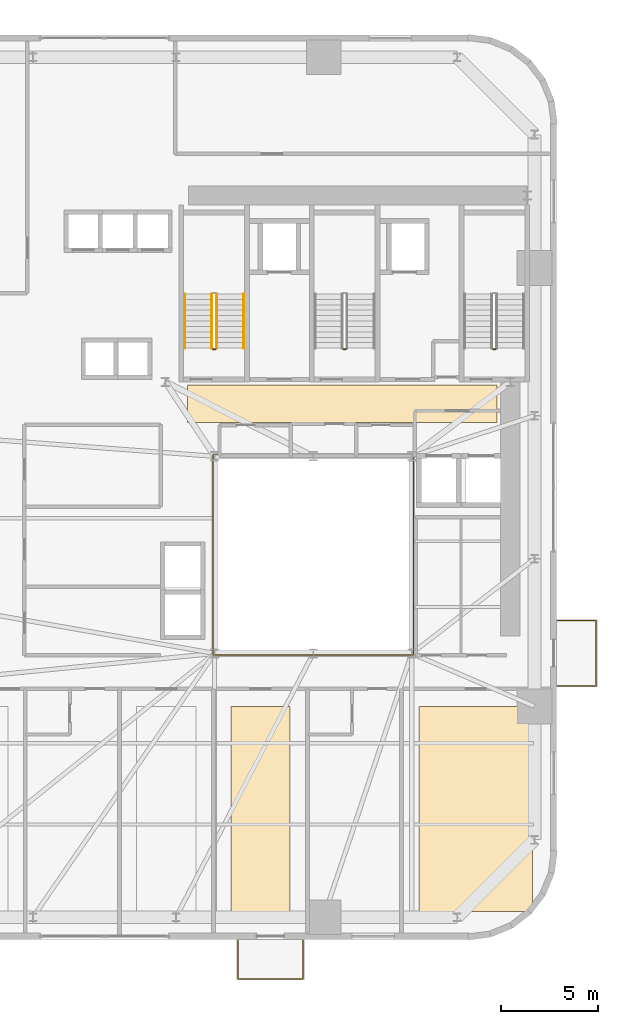
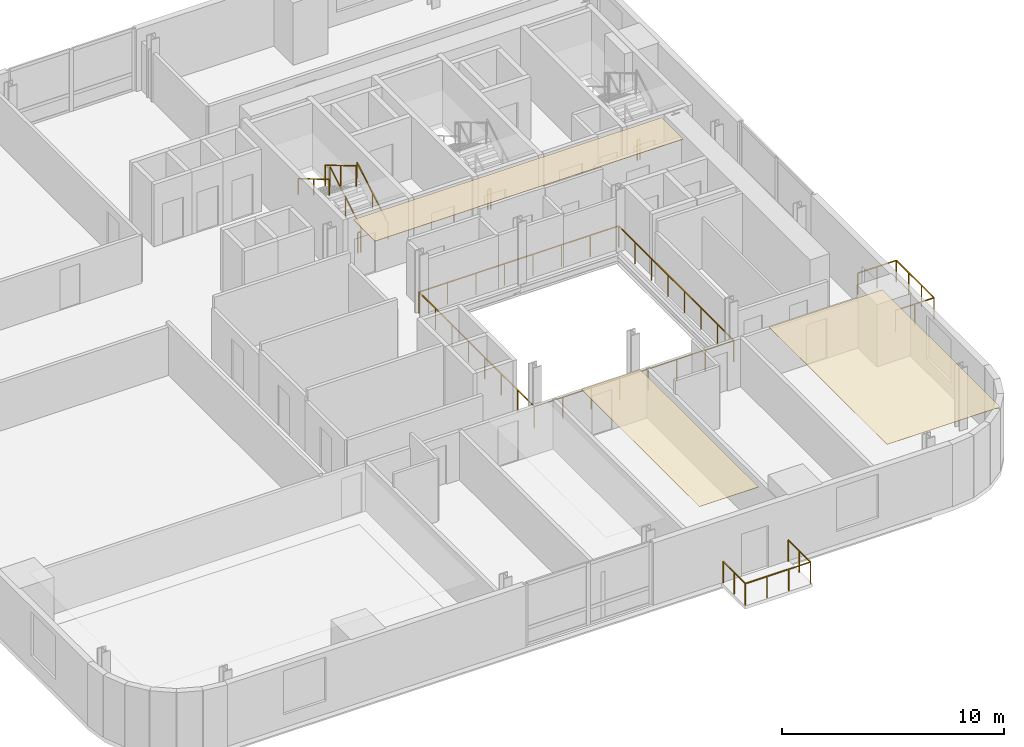
# One storey, part 11 of 13: 10 railings, 3 coverings.
"""IFC4 building model written with IfcOpenShell, lengths in metres."""

from ifc_helpers import new_model, si_unit, direction, frame, origin, origin_2d, place, context, subcontext, project, spatial, polyline, rectangle, outline, extrude, source, transform, mapped, material, layer, layer_set, type_object, element, save


model = new_model("IFC4")

# Units and contexts
model_context = context("Model", 3, precision=1e-05, world=origin(), true_north=direction((0.0, 1.0)))
body_context = subcontext(model_context, "Body", "Model", "MODEL_VIEW")
ifc_project = project(units=[si_unit("LENGTHUNIT", "METRE"), si_unit("AREAUNIT", "SQUARE_METRE"), si_unit("VOLUMEUNIT", "CUBIC_METRE"), si_unit("PLANEANGLEUNIT", "RADIAN"), si_unit("MASSUNIT", "GRAM", prefix="KILO")], contexts=[model_context])

# Site, building, storey
site_placement = place(None, origin())
site = spatial("IfcSite", under=ifc_project, at=site_placement, CompositionType="ELEMENT")
building_placement = place(site_placement, origin())
building = spatial("IfcBuilding", under=site, at=building_placement, Name="Vardaveli Station Tower", CompositionType="ELEMENT")
storey_placement = place(building_placement, frame((0.0, 0.0, 45.85009765625)))
storey = spatial("IfcBuildingStorey", under=building, at=storey_placement, Name="L11", CompositionType="ELEMENT", Elevation=45.85009765625)

# Coverings
ifc_material_1 = material(Name="Perforated acoustic mineral ceiling")
ifc_layer = layer(ifc_material_1, 0.02001953125, Name="Perforated acoustic mineral ceiling")
ifc_layer_set = layer_set([ifc_layer], Name="Perforated acoustic mineral ceiling")
covering_type = type_object("IfcCoveringType", Name="COV-CEIL-AC20", PredefinedType="CEILING", material=ifc_layer_set)
covering_1_placement = place(storey_placement, frame((0.0, 0.0, 3.39501953125)))
element("IfcCovering", 1, at=covering_1_placement, inside=storey, type_object=covering_type, Name="CEIL-L11-3", PredefinedType="CEILING", context=body_context, shape_type="SweptSolid", body=[
    extrude(outline(polyline([(32.033203125, 3.25), (35.10009765625, 3.25), (35.10009765625, 13.860107421875), (32.033203125, 13.860107421875), (32.033203125, 3.25)])), origin(), (0.0, 0.0, 1.0), 0.019775390625),
])
covering_2_placement = place(storey_placement, frame((0.0, 0.0, 3.39501953125)))
element("IfcCovering", 2, at=covering_2_placement, inside=storey, type_object=covering_type, Name="CEIL-L11-4", PredefinedType="CEILING", context=body_context, shape_type="SweptSolid", body=[
    extrude(outline(polyline([(41.7666015625, 3.25), (47.64990234375, 3.25), (47.64990234375, 13.860107421875), (41.7666015625, 13.860107421875), (41.7666015625, 3.25)])), origin(), (0.0, 0.0, 1.0), 0.019775390625),
])
covering_3_placement = place(storey_placement, frame((0.0, 0.0, 3.39501953125)))
element("IfcCovering", 3, at=covering_3_placement, inside=storey, type_object=covering_type, Name="CEIL-L11-5", PredefinedType="CEILING", context=body_context, shape_type="SweptSolid", body=[
    extrude(outline(polyline([(29.800048828125, 28.550048828125), (45.800048828125, 28.550048828125), (45.800048828125, 30.5), (29.800048828125, 30.5), (29.800048828125, 28.550048828125)])), origin(), (0.0, 0.0, 1.0), 0.019775390625),
])

# Railings
ifc_material_2 = material(Name="Laminated glass and stainless steel balustrade", Category="steel")
railing_type_1 = type_object("IfcRailingType", Name="RL-BAL-1200", PredefinedType="BALUSTRADE", material=ifc_material_2)
shared_shape_1 = source(origin(), body_context, "Body", "SweptSolid", [
    extrude(rectangle(XDim=0.048095703125, YDim=0.048095703125, at=origin_2d()), frame((0.0, 0.0, 1.17578125), z_axis=(0.0, -1.0, 0.0), x_axis=(1.0, 0.0, 0.0)), (0.0, 0.0, 1.0), 2.0),
    extrude(rectangle(XDim=0.048095703125, YDim=0.048095703125, at=origin_2d()), frame((0.0, -2.0, 1.17578125), z_axis=(1.0, 0.0, 0.0), x_axis=(0.0, 1.0, 0.0)), (0.0, 0.0, 1.0), 3.3798828125),
    extrude(rectangle(XDim=0.048095703125, YDim=0.048095703125, at=origin_2d()), frame((3.3798828125, -2.0, 1.17578125), z_axis=(0.0, 1.0, 0.0), x_axis=(-1.0, 0.0, 0.0)), (0.0, 0.0, 1.0), 2.0),
    extrude(rectangle(XDim=0.0419921875, YDim=0.0419921875, at=origin_2d()), origin(), (0.0, 0.0, 1.0), 1.15185546875),
    extrude(rectangle(XDim=0.0419921875, YDim=0.0419921875, at=origin_2d()), frame((0.0, -1.0, 0.0)), (0.0, 0.0, 1.0), 1.15185546875),
    extrude(rectangle(XDim=0.0419921875, YDim=0.0419921875, at=origin_2d()), frame((0.0, -2.0, 0.0)), (0.0, 0.0, 1.0), 1.15185546875),
    extrude(rectangle(XDim=0.0419921875, YDim=0.0419921875, at=origin_2d()), frame((1.126708984375, -2.0, 0.0)), (0.0, 0.0, 1.0), 1.15185546875),
    extrude(rectangle(XDim=0.0419921875, YDim=0.0419921875, at=origin_2d()), frame((2.253173828125, -2.0, 0.0)), (0.0, 0.0, 1.0), 1.15185546875),
    extrude(rectangle(XDim=0.0419921875, YDim=0.0419921875, at=origin_2d()), frame((3.3798828125, -2.0, 0.0)), (0.0, 0.0, 1.0), 1.15185546875),
    extrude(rectangle(XDim=0.0419921875, YDim=0.0419921875, at=origin_2d()), frame((3.3798828125, -1.0, 0.0)), (0.0, 0.0, 1.0), 1.15185546875),
    extrude(rectangle(XDim=0.0419921875, YDim=0.0419921875, at=origin_2d()), frame((3.3798828125, 0.0, 0.0)), (0.0, 0.0, 1.0), 1.15185546875),
])
railing_1_placement = place(storey_placement, frame((32.399658203125, 1.760009765625, 0.0)))
element("IfcRailing", 4, at=railing_1_placement, inside=storey, type_object=railing_type_1, Name="RL-LOG-L11-01", PredefinedType="BALUSTRADE", context=body_context, shape_type="MappedRepresentation", body=[
    mapped(shared_shape_1, transform((0.0, 0.0, 0.0), scale=1.0)),
])
shared_shape_2 = source(origin(), body_context, "Body", "SweptSolid", [
    extrude(rectangle(XDim=0.048095703125, YDim=0.048095703125, at=origin_2d()), frame((0.0, 0.0, 1.17578125), z_axis=(1.0, 0.0, 0.0), x_axis=(0.0, 1.0, 0.0)), (0.0, 0.0, 1.0), 2.0),
    extrude(rectangle(XDim=0.048095703125, YDim=0.048095703125, at=origin_2d()), frame((2.0, 0.0, 1.17578125), z_axis=(0.0, 1.0, 0.0), x_axis=(-1.0, 0.0, 0.0)), (0.0, 0.0, 1.0), 3.3798828125),
    extrude(rectangle(XDim=0.048095703125, YDim=0.048095703125, at=origin_2d()), frame((2.0, 3.3798828125, 1.17578125), z_axis=(-1.0, 0.0, 0.0), x_axis=(0.0, -1.0, 0.0)), (0.0, 0.0, 1.0), 2.0),
    extrude(rectangle(XDim=0.0419921875, YDim=0.0419921875, at=origin_2d()), origin(), (0.0, 0.0, 1.0), 1.15185546875),
    extrude(rectangle(XDim=0.0419921875, YDim=0.0419921875, at=origin_2d()), frame((1.0, 0.0, 0.0)), (0.0, 0.0, 1.0), 1.15185546875),
    extrude(rectangle(XDim=0.0419921875, YDim=0.0419921875, at=origin_2d()), frame((2.0, 0.0, 0.0)), (0.0, 0.0, 1.0), 1.15185546875),
    extrude(rectangle(XDim=0.0419921875, YDim=0.0419921875, at=origin_2d()), frame((2.0, 1.126708984375, 0.0)), (0.0, 0.0, 1.0), 1.15185546875),
    extrude(rectangle(XDim=0.0419921875, YDim=0.0419921875, at=origin_2d()), frame((2.0, 2.253173828125, 0.0)), (0.0, 0.0, 1.0), 1.15185546875),
    extrude(rectangle(XDim=0.0419921875, YDim=0.0419921875, at=origin_2d()), frame((2.0, 3.3798828125, 0.0)), (0.0, 0.0, 1.0), 1.15185546875),
    extrude(rectangle(XDim=0.0419921875, YDim=0.0419921875, at=origin_2d()), frame((1.0, 3.3798828125, 0.0)), (0.0, 0.0, 1.0), 1.15185546875),
    extrude(rectangle(XDim=0.0419921875, YDim=0.0419921875, at=origin_2d()), frame((0.0, 3.3798828125, 0.0)), (0.0, 0.0, 1.0), 1.15185546875),
])
railing_2_placement = place(storey_placement, frame((48.93994140625, 14.92041015625, 0.0)))
element("IfcRailing", 5, at=railing_2_placement, inside=storey, type_object=railing_type_1, Name="RL-LOG-L11-04", PredefinedType="BALUSTRADE", context=body_context, shape_type="MappedRepresentation", body=[
    mapped(shared_shape_2, transform((0.0, 0.0, 0.0), scale=1.0)),
])
ifc_material_3 = material(Name="Brushed AISI 316 stainless steel", Category="steel")
railing_type_2 = type_object("IfcRailingType", Name="RL-GUARD-1150", PredefinedType="GUARDRAIL", material=ifc_material_3)
shared_shape_3 = source(origin(), body_context, "Body", "SweptSolid", [
    extrude(rectangle(XDim=0.048095703125, YDim=0.048095703125, at=origin_2d()), frame((0.0, 0.0, 1.1259765625), z_axis=(-1.0, 0.0, 0.0), x_axis=(0.0, -1.0, 0.0)), (0.0, 0.0, 1.0), 0.14990234375),
    extrude(rectangle(XDim=0.0419921875, YDim=0.0419921875, at=origin_2d()), origin(), (0.0, 0.0, 1.0), 1.101806640625),
    extrude(rectangle(XDim=0.0419921875, YDim=0.0419921875, at=origin_2d()), frame((-0.14990234375, 0.0, 0.0)), (0.0, 0.0, 1.0), 1.101806640625),
])
for number, where, name in (
    (6, (31.25, 32.35009765625, 0.0), "L11 ST-1 stair guard 4"),
    (7, (38.0, 32.35009765625, 0.0), "L11 ST-2 stair guard 4"),
    (8, (45.75, 32.35009765625, 0.0), "L11 ST-3 stair guard 4"),
):
    element("IfcRailing", number, at=place(storey_placement, frame(where)), inside=storey, type_object=railing_type_2, Name=name, PredefinedType="GUARDRAIL", context=body_context, shape_type="MappedRepresentation", body=[
        mapped(shared_shape_3, transform((0.0, 0.0, 0.0), scale=1.0)),
    ])
shared_shape_4 = source(origin(), body_context, "Body", "SweptSolid", [
    extrude(rectangle(XDim=0.048095703125, YDim=0.048095703125, at=origin_2d()), frame((0.0, 0.0, 1.1259765625), z_axis=(0.0, 0.860306154799, 0.50977771628), x_axis=(-1.0, 0.0, 0.0)), (0.0, 0.0, 1.0), 3.254638671875),
    extrude(rectangle(XDim=0.0419921875, YDim=0.0419921875, at=origin_2d()), origin(), (0.0, 0.0, 1.0), 1.101806640625),
    extrude(rectangle(XDim=0.0419921875, YDim=0.0419921875, at=origin_2d()), frame((0.0, 1.39990234375, 0.82958984375)), (0.0, 0.0, 1.0), 1.101806640625),
    extrude(rectangle(XDim=0.0419921875, YDim=0.0419921875, at=origin_2d()), frame((0.0, 2.800048828125, 1.6591796875)), (0.0, 0.0, 1.0), 1.101806640625),
])
railing_3_placement = place(storey_placement, frame((31.300048828125, 32.39990234375, 0.165771484375)))
element("IfcRailing", 9, at=railing_3_placement, inside=storey, type_object=railing_type_2, Name="L11 ST-1 stair guard 1", PredefinedType="GUARDRAIL", context=body_context, shape_type="MappedRepresentation", body=[
    mapped(shared_shape_4, transform((0.0, 0.0, 0.0), scale=1.0)),
])
shared_shape_5 = source(origin(), body_context, "Body", "SweptSolid", [
    extrude(rectangle(XDim=0.048095703125, YDim=0.048095703125, at=origin_2d()), frame((0.0, 0.0, 1.1259765625), z_axis=(0.0, -0.860306154799, 0.50977771628), x_axis=(1.0, 0.0, 0.0)), (0.0, 0.0, 1.0), 3.254638671875),
    extrude(rectangle(XDim=0.0419921875, YDim=0.0419921875, at=origin_2d()), origin(), (0.0, 0.0, 1.0), 1.101806640625),
    extrude(rectangle(XDim=0.0419921875, YDim=0.0419921875, at=origin_2d()), frame((0.0, -1.39990234375, 0.82958984375)), (0.0, 0.0, 1.0), 1.101806640625),
    extrude(rectangle(XDim=0.0419921875, YDim=0.0419921875, at=origin_2d()), frame((0.0, -2.800048828125, 1.6591796875)), (0.0, 0.0, 1.0), 1.101806640625),
])
railing_4_placement = place(storey_placement, frame((31.050048828125, 35.199951171875, 1.99072265625)))
element("IfcRailing", 10, at=railing_4_placement, inside=storey, type_object=railing_type_2, Name="L11 ST-1 stair guard 3", PredefinedType="GUARDRAIL", context=body_context, shape_type="MappedRepresentation", body=[
    mapped(shared_shape_5, transform((0.0, 0.0, 0.0), scale=1.0)),
])
railing_type_3 = type_object("IfcRailingType", Name="RL-HAND-900", PredefinedType="HANDRAIL", material=ifc_material_3)
shared_shape_6 = source(origin(), body_context, "Body", "SweptSolid", [
    extrude(rectangle(XDim=0.048095703125, YDim=0.048095703125, at=origin_2d()), frame((0.0, 0.0, 0.8759765625), z_axis=(0.0, 0.860306154799, 0.50977771628), x_axis=(-1.0, 0.0, 0.0)), (0.0, 0.0, 1.0), 3.254638671875),
    extrude(rectangle(XDim=0.0419921875, YDim=0.0419921875, at=origin_2d()), origin(), (0.0, 0.0, 1.0), 0.851806640625),
    extrude(rectangle(XDim=0.0419921875, YDim=0.0419921875, at=origin_2d()), frame((0.0, 1.39990234375, 0.82958984375)), (0.0, 0.0, 1.0), 0.851806640625),
    extrude(rectangle(XDim=0.0419921875, YDim=0.0419921875, at=origin_2d()), frame((0.0, 2.800048828125, 1.6591796875)), (0.0, 0.0, 1.0), 0.851806640625),
])
railing_5_placement = place(storey_placement, frame((32.699951171875, 32.39990234375, 0.165771484375)))
element("IfcRailing", 11, at=railing_5_placement, inside=storey, type_object=railing_type_3, Name="L11 ST-1 stair handrail 1", PredefinedType="HANDRAIL", context=body_context, shape_type="MappedRepresentation", body=[
    mapped(shared_shape_6, transform((0.0, 0.0, 0.0), scale=1.0)),
])
shared_shape_7 = source(origin(), body_context, "Body", "SweptSolid", [
    extrude(rectangle(XDim=0.048095703125, YDim=0.048095703125, at=origin_2d()), frame((0.0, 0.0, 0.8759765625), z_axis=(0.0, -0.860306154799, 0.50977771628), x_axis=(1.0, 0.0, 0.0)), (0.0, 0.0, 1.0), 3.254638671875),
    extrude(rectangle(XDim=0.0419921875, YDim=0.0419921875, at=origin_2d()), origin(), (0.0, 0.0, 1.0), 0.851806640625),
    extrude(rectangle(XDim=0.0419921875, YDim=0.0419921875, at=origin_2d()), frame((0.0, -1.39990234375, 0.82958984375)), (0.0, 0.0, 1.0), 0.851806640625),
    extrude(rectangle(XDim=0.0419921875, YDim=0.0419921875, at=origin_2d()), frame((0.0, -2.800048828125, 1.6591796875)), (0.0, 0.0, 1.0), 0.851806640625),
])
railing_6_placement = place(storey_placement, frame((29.64990234375, 35.199951171875, 1.99072265625)))
element("IfcRailing", 12, at=railing_6_placement, inside=storey, type_object=railing_type_3, Name="L11 ST-1 stair handrail 2", PredefinedType="HANDRAIL", context=body_context, shape_type="MappedRepresentation", body=[
    mapped(shared_shape_7, transform((0.0, 0.0, 0.0), scale=1.0)),
])
shared_shape_8 = source(origin(), body_context, "Body", "SweptSolid", [
    extrude(rectangle(XDim=0.048095703125, YDim=0.048095703125, at=origin_2d()), frame((0.0, 0.0, 1.17578125), z_axis=(1.0, 0.0, 0.0), x_axis=(0.0, 1.0, 0.0)), (0.0, 0.0, 1.0), 10.35986328125),
    extrude(rectangle(XDim=0.048095703125, YDim=0.048095703125, at=origin_2d()), frame((10.35986328125, 0.0, 1.17578125), z_axis=(0.0, 1.0, 0.0), x_axis=(-1.0, 0.0, 0.0)), (0.0, 0.0, 1.0), 10.35986328125),
    extrude(rectangle(XDim=0.048095703125, YDim=0.048095703125, at=origin_2d()), frame((10.35986328125, 10.35986328125, 1.17578125), z_axis=(-1.0, 0.0, 0.0), x_axis=(0.0, -1.0, 0.0)), (0.0, 0.0, 1.0), 10.35986328125),
    extrude(rectangle(XDim=0.048095703125, YDim=0.048095703125, at=origin_2d()), frame((0.0, 10.35986328125, 1.17578125), z_axis=(0.0, -1.0, 0.0), x_axis=(1.0, 0.0, 0.0)), (0.0, 0.0, 1.0), 10.35986328125),
    extrude(rectangle(XDim=0.0419921875, YDim=0.0419921875, at=origin_2d()), origin(), (0.0, 0.0, 1.0), 1.15185546875),
    extrude(rectangle(XDim=0.0419921875, YDim=0.0419921875, at=origin_2d()), frame((1.47998046875, 0.0, 0.0)), (0.0, 0.0, 1.0), 1.15185546875),
    extrude(rectangle(XDim=0.0419921875, YDim=0.0419921875, at=origin_2d()), frame((2.9599609375, 0.0, 0.0)), (0.0, 0.0, 1.0), 1.15185546875),
    extrude(rectangle(XDim=0.0419921875, YDim=0.0419921875, at=origin_2d()), frame((4.43994140625, 0.0, 0.0)), (0.0, 0.0, 1.0), 1.15185546875),
    extrude(rectangle(XDim=0.0419921875, YDim=0.0419921875, at=origin_2d()), frame((5.919921875, 0.0, 0.0)), (0.0, 0.0, 1.0), 1.15185546875),
    extrude(rectangle(XDim=0.0419921875, YDim=0.0419921875, at=origin_2d()), frame((7.39990234375, 0.0, 0.0)), (0.0, 0.0, 1.0), 1.15185546875),
    extrude(rectangle(XDim=0.0419921875, YDim=0.0419921875, at=origin_2d()), frame((8.8798828125, 0.0, 0.0)), (0.0, 0.0, 1.0), 1.15185546875),
    extrude(rectangle(XDim=0.0419921875, YDim=0.0419921875, at=origin_2d()), frame((10.35986328125, 0.0, 0.0)), (0.0, 0.0, 1.0), 1.15185546875),
    extrude(rectangle(XDim=0.0419921875, YDim=0.0419921875, at=origin_2d()), frame((10.35986328125, 1.47998046875, 0.0)), (0.0, 0.0, 1.0), 1.15185546875),
    extrude(rectangle(XDim=0.0419921875, YDim=0.0419921875, at=origin_2d()), frame((10.35986328125, 2.9599609375, 0.0)), (0.0, 0.0, 1.0), 1.15185546875),
    extrude(rectangle(XDim=0.0419921875, YDim=0.0419921875, at=origin_2d()), frame((10.35986328125, 4.43994140625, 0.0)), (0.0, 0.0, 1.0), 1.15185546875),
    extrude(rectangle(XDim=0.0419921875, YDim=0.0419921875, at=origin_2d()), frame((10.35986328125, 5.919921875, 0.0)), (0.0, 0.0, 1.0), 1.15185546875),
    extrude(rectangle(XDim=0.0419921875, YDim=0.0419921875, at=origin_2d()), frame((10.35986328125, 7.39990234375, 0.0)), (0.0, 0.0, 1.0), 1.15185546875),
    extrude(rectangle(XDim=0.0419921875, YDim=0.0419921875, at=origin_2d()), frame((10.35986328125, 8.8798828125, 0.0)), (0.0, 0.0, 1.0), 1.15185546875),
    extrude(rectangle(XDim=0.0419921875, YDim=0.0419921875, at=origin_2d()), frame((10.35986328125, 10.35986328125, 0.0)), (0.0, 0.0, 1.0), 1.15185546875),
    extrude(rectangle(XDim=0.0419921875, YDim=0.0419921875, at=origin_2d()), frame((8.8798828125, 10.35986328125, 0.0)), (0.0, 0.0, 1.0), 1.15185546875),
    extrude(rectangle(XDim=0.0419921875, YDim=0.0419921875, at=origin_2d()), frame((7.39990234375, 10.35986328125, 0.0)), (0.0, 0.0, 1.0), 1.15185546875),
    extrude(rectangle(XDim=0.0419921875, YDim=0.0419921875, at=origin_2d()), frame((5.919921875, 10.35986328125, 0.0)), (0.0, 0.0, 1.0), 1.15185546875),
    extrude(rectangle(XDim=0.0419921875, YDim=0.0419921875, at=origin_2d()), frame((4.43994140625, 10.35986328125, 0.0)), (0.0, 0.0, 1.0), 1.15185546875),
    extrude(rectangle(XDim=0.0419921875, YDim=0.0419921875, at=origin_2d()), frame((2.9599609375, 10.35986328125, 0.0)), (0.0, 0.0, 1.0), 1.15185546875),
    extrude(rectangle(XDim=0.0419921875, YDim=0.0419921875, at=origin_2d()), frame((1.47998046875, 10.35986328125, 0.0)), (0.0, 0.0, 1.0), 1.15185546875),
    extrude(rectangle(XDim=0.0419921875, YDim=0.0419921875, at=origin_2d()), frame((0.0, 10.35986328125, 0.0)), (0.0, 0.0, 1.0), 1.15185546875),
    extrude(rectangle(XDim=0.0419921875, YDim=0.0419921875, at=origin_2d()), frame((0.0, 8.8798828125, 0.0)), (0.0, 0.0, 1.0), 1.15185546875),
    extrude(rectangle(XDim=0.0419921875, YDim=0.0419921875, at=origin_2d()), frame((0.0, 7.39990234375, 0.0)), (0.0, 0.0, 1.0), 1.15185546875),
    extrude(rectangle(XDim=0.0419921875, YDim=0.0419921875, at=origin_2d()), frame((0.0, 5.919921875, 0.0)), (0.0, 0.0, 1.0), 1.15185546875),
    extrude(rectangle(XDim=0.0419921875, YDim=0.0419921875, at=origin_2d()), frame((0.0, 4.43994140625, 0.0)), (0.0, 0.0, 1.0), 1.15185546875),
    extrude(rectangle(XDim=0.0419921875, YDim=0.0419921875, at=origin_2d()), frame((0.0, 2.9599609375, 0.0)), (0.0, 0.0, 1.0), 1.15185546875),
    extrude(rectangle(XDim=0.0419921875, YDim=0.0419921875, at=origin_2d()), frame((0.0, 1.47998046875, 0.0)), (0.0, 0.0, 1.0), 1.15185546875),
])
railing_7_placement = place(storey_placement, frame((31.1201171875, 16.52001953125, 0.0)))
element("IfcRailing", 13, at=railing_7_placement, inside=storey, type_object=railing_type_1, Name="RL-ATR-L11", PredefinedType="BALUSTRADE", context=body_context, shape_type="MappedRepresentation", body=[
    mapped(shared_shape_8, transform((0.0, 0.0, 0.0), scale=1.0)),
])

save(model, "model.ifc")
